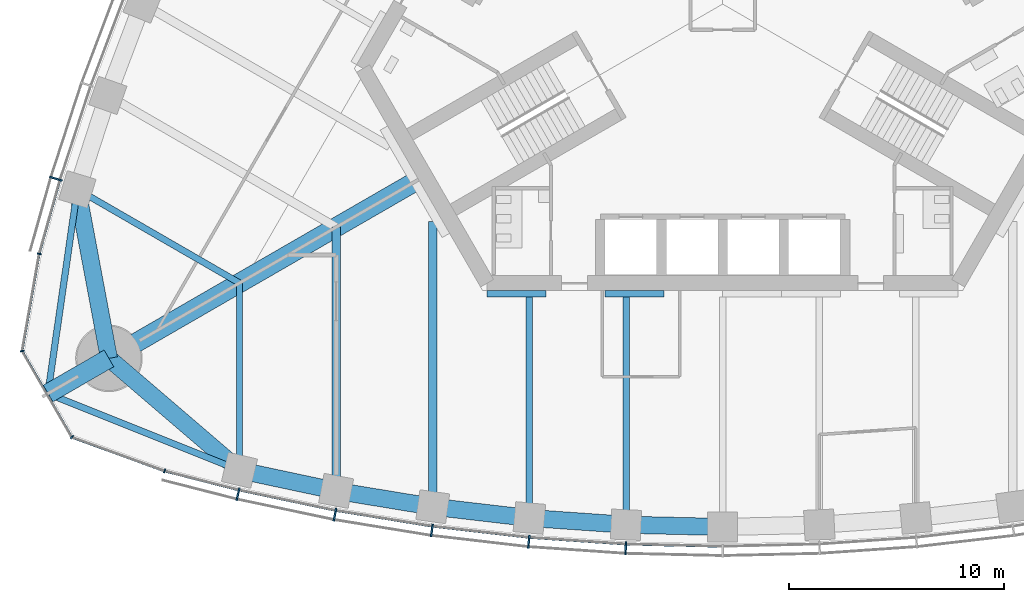
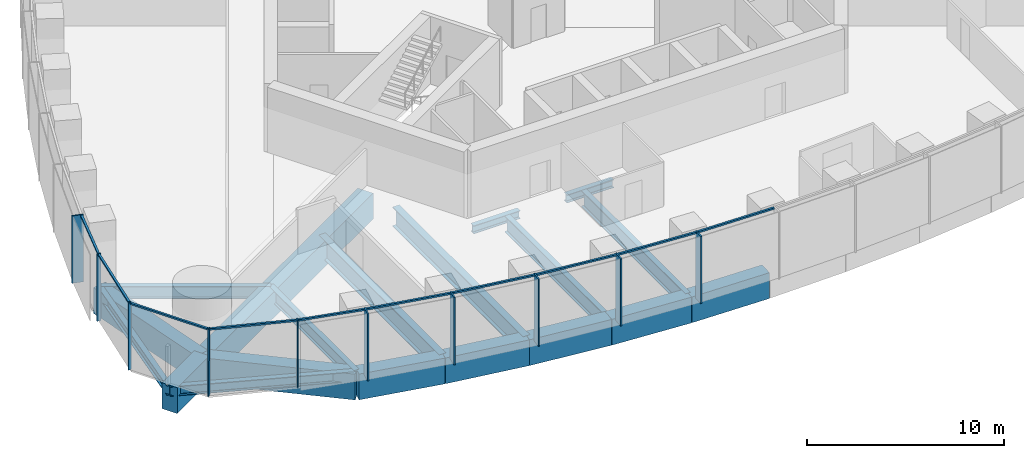
# One storey, part 2 of 19: 20 members, 19 beams, 3 elements without a shape of their own.
"""IFC4 building model written with IfcOpenShell, lengths in metres."""

import ifcopenshell
import ifcopenshell.guid

model = None  # the IFC model being written
_history = None  # IfcOwnerHistory: only IFC2X3 demands one
_inside = {}  # id of a spatial element -> (the spatial element, [elements in it])
_under = {}  # id of a project, library or spatial element -> (it, [spatial elements below it])
_declared = {}  # id of a project -> (the project, [libraries it declares])
_typed = {}  # id of a type object -> (the type object, [elements of that type])
_made_of = {}  # id of a material, layer set ... -> (it, [elements and type objects made of it])


def new_model(schema):
    """Start an empty IFC model of exactly this schema.

    Asked for "IFC4X3", IfcOpenShell would pick the latest addendum, in which some entities
    have other attributes; the version numbers below select the first issue.
    IFC2X3 requires an IfcOwnerHistory on every rooted entity: one is made here for all.
    """
    global model, _history
    if schema == "IFC4X3":
        model = ifcopenshell.file(schema_version=(4, 3, 0, 0))
    else:
        model = ifcopenshell.file(schema=schema)
    _inside.clear()
    _under.clear()
    _declared.clear()
    _typed.clear()
    _made_of.clear()
    _history = None
    if model.schema == "IFC2X3":
        org = make("IfcOrganization", Name="unknown")
        user = make(
            "IfcPersonAndOrganization",
            ThePerson=make("IfcPerson", FamilyName="unknown"),
            TheOrganization=org,
        )
        app = make(
            "IfcApplication",
            ApplicationDeveloper=org,
            Version="unknown",
            ApplicationFullName="unknown",
            ApplicationIdentifier="unknown",
        )
        _history = make(
            "IfcOwnerHistory",
            OwningUser=user,
            OwningApplication=app,
            ChangeAction="ADDED",
            CreationDate=0,
        )
    return model


def make(cls, **values):
    """One entity of the class cls with the attributes given. An attribute that is None is left unset."""
    return model.create_entity(
        cls, **{name: value for name, value in values.items() if value is not None}
    )


def rooted(cls, **values):
    """An entity with a GlobalId (a new one), such as an element, a storey or a relation."""
    return make(cls, GlobalId=ifcopenshell.guid.new(), OwnerHistory=_history, **values)


def si_unit(unit_type, name, prefix=None):
    """IfcSIUnit, for example si_unit("LENGTHUNIT", "METRE", prefix="MILLI")."""
    return make("IfcSIUnit", UnitType=unit_type, Prefix=prefix, Name=name)


def assignment(units):
    """IfcUnitAssignment: the units of a project."""
    return None if units is None else make("IfcUnitAssignment", Units=units)


def point(xyz):
    """IfcCartesianPoint."""
    return None if xyz is None else make("IfcCartesianPoint", Coordinates=xyz)


def direction(xyz):
    """IfcDirection."""
    return None if xyz is None else make("IfcDirection", DirectionRatios=xyz)


def frame(location, z_axis=None, x_axis=None):
    """IfcAxis2Placement3D, a coordinate frame: its origin and axes. An axis left out is left unset."""
    return make(
        "IfcAxis2Placement3D",
        Location=point(location),
        Axis=direction(z_axis),
        RefDirection=direction(x_axis),
    )


def frame_2d(location, x_axis=None):
    """IfcAxis2Placement2D, a coordinate frame in the plane: its origin and x axis."""
    return make(
        "IfcAxis2Placement2D", Location=point(location), RefDirection=direction(x_axis)
    )


def origin():
    """The frame at (0, 0, 0) with its axes left unset."""
    return frame((0.0, 0.0, 0.0))


def origin_2d():
    """The frame at (0, 0) in the plane with its x axis left unset."""
    return frame_2d((0.0, 0.0))


def place(relative_to, where):
    """IfcLocalPlacement: puts the frame where relative to a parent placement (None: the world)."""
    return make(
        "IfcLocalPlacement", PlacementRelTo=relative_to, RelativePlacement=where
    )


def context(
    kind, dimensions, precision=None, world=None, true_north=None, identifier=None
):
    """IfcGeometricRepresentationContext, for example the 3D "Model" context."""
    return make(
        "IfcGeometricRepresentationContext",
        ContextIdentifier=identifier,
        ContextType=kind,
        CoordinateSpaceDimension=dimensions,
        Precision=precision,
        WorldCoordinateSystem=world,
        TrueNorth=true_north,
    )


def subcontext(parent, identifier, kind, view, scale=None):
    """IfcGeometricRepresentationSubContext, for example "Body" below "Model"."""
    return make(
        "IfcGeometricRepresentationSubContext",
        ContextIdentifier=identifier,
        ContextType=kind,
        ParentContext=parent,
        TargetScale=scale,
        TargetView=view,
    )


def project(units=None, contexts=None):
    """IfcProject with its units and contexts."""
    return rooted(
        "IfcProject",
        Name="project",
        RepresentationContexts=contexts,
        UnitsInContext=assignment(units),
    )


def spatial(cls, under=None, at=None, **own):
    """A site, building, storey or space (cls), placed at a placement, below another one or the project."""
    s = rooted(cls, ObjectPlacement=at, **own)
    if under is not None:
        _under.setdefault(under.id(), (under, []))[1].append(s)
    return s


def profile(cls, at=None, kind="AREA", **sizes):
    """A parametric profile (cls). Its sizes go by their IFC names, for example OverallWidth=200.0."""
    return make(cls, ProfileType=kind, Position=at, **sizes)


def rectangle(**sizes):
    """IfcRectangleProfileDef."""
    return profile("IfcRectangleProfileDef", **sizes)


def i_section(**sizes):
    """IfcIShapeProfileDef."""
    return profile("IfcIShapeProfileDef", **sizes)


def extrude(swept, where, along, depth):
    """IfcExtrudedAreaSolid: the profile swept, set in the frame where, extruded along a direction by depth."""
    return make(
        "IfcExtrudedAreaSolid",
        SweptArea=swept,
        Position=where,
        ExtrudedDirection=direction(along),
        Depth=depth,
    )


def shape(context_of_items, identifier, shape_type, items):
    """IfcShapeRepresentation: the items that make up one representation, for example the "Body"."""
    return make(
        "IfcShapeRepresentation",
        ContextOfItems=context_of_items,
        RepresentationIdentifier=identifier,
        RepresentationType=shape_type,
        Items=items,
    )


def material(Name=None, Category=None):
    """IfcMaterial."""
    return make("IfcMaterial", Name=Name, Category=Category)


def material_profile(
    of_material, cross_section, Name=None, Category=None, Priority=None
):
    """IfcMaterialProfile: a cross section and its material."""
    return make(
        "IfcMaterialProfile",
        Name=Name,
        Material=of_material,
        Profile=cross_section,
        Priority=Priority,
        Category=Category,
    )


def profile_set(profiles, Name=None, composite=None):
    """IfcMaterialProfileSet."""
    return make(
        "IfcMaterialProfileSet",
        Name=Name,
        MaterialProfiles=profiles,
        CompositeProfile=composite,
    )


def made_of(thing, what):
    """Note that an element or type object is made of a material, layer set ...; save() writes the relation."""
    if what is not None:
        _made_of.setdefault(what.id(), (what, []))[1].append(thing)
    return thing


def type_object(cls, material=None, **own):
    """A type object (cls), such as IfcWallType, which elements share."""
    return made_of(rooted(cls, **own), material)


def element(
    cls,
    number,
    at=None,
    inside=None,
    cuts=None,
    type_object=None,
    material=None,
    context=None,
    identifier="Body",
    shape_type=None,
    held_by="IfcProductDefinitionShape",
    body=None,
    shapes=None,
    **own,
):
    """One element of the class cls, such as IfcWall. Its Tag is "e" and its number.

    at: its placement. inside: the storey or other place that contains it. cuts: it is an
    opening in that element (IfcRelVoidsElement). A single representation is given by context,
    identifier, shape_type and body (its items); several are given by shapes. held_by: the class
    of the entity that holds the representations. save() writes the other relations.
    """
    e = rooted(cls, Tag="e%d" % number, ObjectPlacement=at, **own)
    if body is not None:
        shapes = [shape(context, identifier, shape_type, body)]
    if shapes is not None:
        e.Representation = make(held_by, Representations=shapes)
    if inside is not None:
        _inside.setdefault(inside.id(), (inside, []))[1].append(e)
    if cuts is not None:
        rooted(
            "IfcRelVoidsElement", RelatingBuildingElement=cuts, RelatedOpeningElement=e
        )
    if type_object is not None:
        _typed.setdefault(type_object.id(), (type_object, []))[1].append(e)
    return made_of(e, material)


def aggregate(whole, parts):
    """IfcRelAggregates: a whole, such as a stair, and the parts it consists of."""
    return rooted("IfcRelAggregates", RelatingObject=whole, RelatedObjects=parts)


def save(model, path):
    """Write the relations noted so far, then the file.

    IfcRelAggregates (storeys below a building ...), IfcRelContainedInSpatialStructure (elements
    in a storey), IfcRelDefinesByType, IfcRelAssociatesMaterial and IfcRelDeclares: one each for
    every whole, place, type object, material and project.
    """
    for whole, parts in _under.values():
        aggregate(whole, parts)
    for where, things in _inside.values():
        rooted(
            "IfcRelContainedInSpatialStructure",
            RelatedElements=things,
            RelatingStructure=where,
        )
    for kind, things in _typed.values():
        rooted("IfcRelDefinesByType", RelatedObjects=things, RelatingType=kind)
    for what, things in _made_of.values():
        rooted("IfcRelAssociatesMaterial", RelatedObjects=things, RelatingMaterial=what)
    for by, libraries in _declared.values():
        rooted("IfcRelDeclares", RelatingContext=by, RelatedDefinitions=libraries)
    model.write(path)


model = new_model("IFC4")

# Units and contexts
model_context = context("Model", 3, precision=1e-05, world=origin(), true_north=direction((0.0, 1.0)))
body_context = subcontext(model_context, "Body", "Model", "MODEL_VIEW")
ifc_project = project(units=[si_unit("LENGTHUNIT", "METRE"), si_unit("AREAUNIT", "SQUARE_METRE"), si_unit("VOLUMEUNIT", "CUBIC_METRE"), si_unit("PLANEANGLEUNIT", "RADIAN"), si_unit("MASSUNIT", "GRAM", prefix="KILO")], contexts=[model_context])

# Site, building, storey
site_placement = place(None, origin())
site = spatial("IfcSite", under=ifc_project, at=site_placement, CompositionType="ELEMENT")
building_placement = place(site_placement, origin())
building = spatial("IfcBuilding", under=site, at=building_placement, Name="Trefoil Bronze Tower", CompositionType="ELEMENT")
storey_placement = place(building_placement, frame((0.0, 0.0, 256.89990234375)))
storey = spatial("IfcBuildingStorey", under=building, at=storey_placement, Name="L59", CompositionType="ELEMENT", Elevation=256.89990234375)

# Curtain wall, members
ifc_material_1 = material(Name="Tinted solar-control glass", Category="glass")
curtain_wall_type_1 = type_object("IfcCurtainWallType", Name="Bronze office curtain wall", PredefinedType="USERDEFINED", material=ifc_material_1)
curtain_wall_1_placement = place(storey_placement, origin())
curtain_wall_1 = element("IfcCurtainWall", 1, at=curtain_wall_1_placement, inside=storey, type_object=curtain_wall_type_1, Name="CW-A L59 F1", ObjectType="CURTAIN WALL", PredefinedType="USERDEFINED")
ifc_material_2 = material(Name="Bronze-finish aluminium", Category="aluminium")
ifc_material_profile_1 = material_profile(ifc_material_2, rectangle(XDim=0.60009765625, YDim=0.080078125, at=origin_2d()), Name="CW-A mullion")
ifc_profile_set_1 = profile_set([ifc_material_profile_1], Name="Bronze-finish aluminium")
member_type_1 = type_object("IfcMemberType", Name="Bronze office curtain wall mullion", PredefinedType="MULLION", material=ifc_profile_set_1)
member_1_placement = place(storey_placement, frame((-22.568115234375, -22.82421875, 0.0), z_axis=(0.0, 0.0, 1.0), x_axis=(0.227082662569, 0.973875487093, 0.0)))
member_1 = element("IfcMember", 2, at=member_1_placement, type_object=member_type_1, Name="CW-A L59 F1 mullion 2", PredefinedType="MULLION", context=body_context, shape_type="SweptSolid", body=[
    extrude(rectangle(XDim=0.60009765625, YDim=0.080078125, at=origin_2d()), origin(), (0.0, 0.0, 1.0), 4.18017578125),
])
member_2_placement = place(storey_placement, frame((-18.05517578125, -23.77783203125, 0.0), z_axis=(0.0, 0.0, 1.0), x_axis=(0.183825368167, 0.982958917767, 0.0)))
member_2 = element("IfcMember", 3, at=member_2_placement, type_object=member_type_1, Name="CW-A L59 F1 mullion 3", PredefinedType="MULLION", context=body_context, shape_type="SweptSolid", body=[
    extrude(rectangle(XDim=0.60009765625, YDim=0.080078125, at=origin_2d()), origin(), (0.0, 0.0, 1.0), 4.18017578125),
])
member_3_placement = place(storey_placement, frame((-13.541259765625, -24.51318359375, 0.0), z_axis=(0.0, 0.0, 1.0), x_axis=(0.137867887204, 0.990450627582, 0.0)))
member_3 = element("IfcMember", 4, at=member_3_placement, type_object=member_type_1, Name="CW-A L59 F1 mullion 4", PredefinedType="MULLION", context=body_context, shape_type="SweptSolid", body=[
    extrude(rectangle(XDim=0.60009765625, YDim=0.080078125, at=origin_2d()), origin(), (0.0, 0.0, 1.0), 4.18017578125),
])
member_4_placement = place(storey_placement, frame((-9.027587890625, -25.03515625, 0.0), z_axis=(0.0, 0.0, 1.0), x_axis=(0.091911396394, 0.995767189263, 0.0)))
member_4 = element("IfcMember", 5, at=member_4_placement, type_object=member_type_1, Name="CW-A L59 F1 mullion 5", PredefinedType="MULLION", context=body_context, shape_type="SweptSolid", body=[
    extrude(rectangle(XDim=0.60009765625, YDim=0.080078125, at=origin_2d()), origin(), (0.0, 0.0, 1.0), 4.18017578125),
])
member_5_placement = place(storey_placement, frame((-4.513671875, -25.346923828125, 0.0), z_axis=(0.0, 0.0, 1.0), x_axis=(0.045955542372, 0.998943485952, 0.0)))
member_5 = element("IfcMember", 6, at=member_5_placement, type_object=member_type_1, Name="CW-A L59 F1 mullion 6", PredefinedType="MULLION", context=body_context, shape_type="SweptSolid", body=[
    extrude(rectangle(XDim=0.60009765625, YDim=0.080078125, at=origin_2d()), origin(), (0.0, 0.0, 1.0), 4.18017578125),
])

# Curtain wall, member
curtain_wall_2_placement = place(storey_placement, origin())
curtain_wall_2 = element("IfcCurtainWall", 7, at=curtain_wall_2_placement, inside=storey, type_object=curtain_wall_type_1, Name="CW-A L59 F3", ObjectType="CURTAIN WALL", PredefinedType="USERDEFINED")
member_6_placement = place(storey_placement, frame((-31.05029296875, -8.132568359375, 0.0), z_axis=(0.0, 0.0, 1.0), x_axis=(0.95694224323, -0.290278389002, 0.0)))
member_6 = element("IfcMember", 8, at=member_6_placement, type_object=member_type_1, Name="CW-A L59 F3 mullion 12", PredefinedType="MULLION", context=body_context, shape_type="SweptSolid", body=[
    extrude(rectangle(XDim=0.60009765625, YDim=0.080078125, at=origin_2d()), origin(), (0.0, 0.0, 1.0), 4.18017578125),
])

# Member
ifc_material_3 = material(Name="Bronze-finish aluminium", Category="aluminium")
ifc_material_profile_2 = material_profile(ifc_material_3, rectangle(XDim=0.1201171875, YDim=0.10009765625, at=origin_2d()), Name="CW-A transom")
ifc_profile_set_2 = profile_set([ifc_material_profile_2], Name="Bronze-finish aluminium")
member_type_2 = type_object("IfcMemberType", Name="Bronze office curtain wall transom", PredefinedType="USERDEFINED", material=ifc_profile_set_2)
member_7_placement = place(storey_placement, frame((-25.93896484375, -21.75732421875, 4.130126953125), z_axis=(0.968935220916, -0.247314653162, 0.0), x_axis=(0.247314653162, 0.968935220916, 0.0)))
member_7 = element("IfcMember", 9, at=member_7_placement, type_object=member_type_2, Name="CW-A L59 F1 transom 1", ObjectType="TRANSOM", PredefinedType="USERDEFINED", context=body_context, shape_type="SweptSolid", body=[
    extrude(rectangle(XDim=0.1201171875, YDim=0.10009765625, at=origin_2d()), origin(), (0.0, 0.0, 1.0), 3.483642578125),
])

member_8_placement = place(storey_placement, frame((-22.4814453125, -22.63818359375, 4.130126953125), z_axis=(0.978395325657, -0.20674280334, 0.0), x_axis=(0.20674280334, 0.978395325657, 0.0)))
member_8 = element("IfcMember", 10, at=member_8_placement, type_object=member_type_2, Name="CW-A L59 F1 transom 2", ObjectType="TRANSOM", PredefinedType="USERDEFINED", context=body_context, shape_type="SweptSolid", body=[
    extrude(rectangle(XDim=0.1201171875, YDim=0.10009765625, at=origin_2d()), origin(), (0.0, 0.0, 1.0), 4.519287109375),
])

member_9_placement = place(storey_placement, frame((-17.9765625, -23.588134765625, 4.130126953125), z_axis=(0.986988367046, -0.160791676761, 0.0), x_axis=(0.160791676761, 0.986988367046, 0.0)))
member_9 = element("IfcMember", 11, at=member_9_placement, type_object=member_type_2, Name="CW-A L59 F1 transom 3", ObjectType="TRANSOM", PredefinedType="USERDEFINED", context=body_context, shape_type="SweptSolid", body=[
    extrude(rectangle(XDim=0.1201171875, YDim=0.10009765625, at=origin_2d()), origin(), (0.0, 0.0, 1.0), 4.479248046875),
])

member_10_placement = place(storey_placement, frame((-13.4716796875, -24.320068359375, 4.130126953125), z_axis=(0.993384885596, -0.114832352013, 0.0), x_axis=(0.114832352013, 0.993384885596, 0.0)))
member_10 = element("IfcMember", 12, at=member_10_placement, type_object=member_type_2, Name="CW-A L59 F1 transom 4", ObjectType="TRANSOM", PredefinedType="USERDEFINED", context=body_context, shape_type="SweptSolid", body=[
    extrude(rectangle(XDim=0.1201171875, YDim=0.10009765625, at=origin_2d()), origin(), (0.0, 0.0, 1.0), 4.449951171875),
])

member_11_placement = place(storey_placement, frame((-8.967041015625, -24.8388671875, 4.130126953125), z_axis=(0.997621320987, -0.06893257512, 0.0), x_axis=(0.06893257512, 0.997621320987, 0.0)))
member_11 = element("IfcMember", 13, at=member_11_placement, type_object=member_type_2, Name="CW-A L59 F1 transom 5", ObjectType="TRANSOM", PredefinedType="USERDEFINED", context=body_context, shape_type="SweptSolid", body=[
    extrude(rectangle(XDim=0.1201171875, YDim=0.10009765625, at=origin_2d()), origin(), (0.0, 0.0, 1.0), 4.4306640625),
])

member_12_placement = place(storey_placement, frame((-4.46240234375, -25.148193359375, 4.130126953125), z_axis=(0.999736131416, -0.022971015226, 0.0), x_axis=(0.022971015226, 0.999736131416, 0.0)))
member_12 = element("IfcMember", 14, at=member_12_placement, type_object=member_type_2, Name="CW-A L59 F1 transom 6", ObjectType="TRANSOM", PredefinedType="USERDEFINED", context=body_context, shape_type="SweptSolid", body=[
    extrude(rectangle(XDim=0.1201171875, YDim=0.10009765625, at=origin_2d()), origin(), (0.0, 0.0, 1.0), 4.42138671875),
])

aggregate(curtain_wall_1, [member_1, member_2, member_3, member_4, member_5, member_7, member_8, member_9, member_10, member_11, member_12])

member_13_placement = place(storey_placement, frame((-30.870361328125, -8.23095703125, 4.130126953125), z_axis=(-0.270284880437, -0.962780392097, 0.0), x_axis=(0.962780392097, -0.270284880437, 0.0)))
member_13 = element("IfcMember", 15, at=member_13_placement, type_object=member_type_2, Name="CW-A L59 F3 transom 12", ObjectType="TRANSOM", PredefinedType="USERDEFINED", context=body_context, shape_type="SweptSolid", body=[
    extrude(rectangle(XDim=0.1201171875, YDim=0.10009765625, at=origin_2d()), origin(), (0.0, 0.0, 1.0), 3.48388671875),
])

aggregate(curtain_wall_2, [member_6, member_13])

# Curtain wall, members
ifc_material_4 = material(Name="Tinted solar-control glass", Category="glass")
curtain_wall_type_2 = type_object("IfcCurtainWallType", Name="Bronze rounded corner curtain wall", PredefinedType="USERDEFINED", material=ifc_material_4)
curtain_wall_3_placement = place(storey_placement, origin())
curtain_wall_3 = element("IfcCurtainWall", 16, at=curtain_wall_3_placement, inside=storey, type_object=curtain_wall_type_2, Name="CW-B L59 K3", ObjectType="CURTAIN WALL", PredefinedType="USERDEFINED")
ifc_material_5 = material(Name="Bronze-finish aluminium", Category="aluminium")
ifc_material_profile_3 = material_profile(ifc_material_5, rectangle(XDim=0.199951171875, YDim=0.06005859375, at=origin_2d()), Name="CW-B mullion")
ifc_profile_set_3 = profile_set([ifc_material_profile_3], Name="Bronze-finish aluminium")
member_type_3 = type_object("IfcMemberType", Name="Bronze rounded corner curtain wall mullion", PredefinedType="MULLION", material=ifc_profile_set_3)
member_14_placement = place(storey_placement, frame((-31.824951171875, -11.63330078125, 0.0), z_axis=(0.0, 0.0, 1.0), x_axis=(0.984807753012, -0.173648177667, 0.0)))
member_14 = element("IfcMember", 17, at=member_14_placement, type_object=member_type_3, Name="CW-B L59 K3 mullion 1", PredefinedType="MULLION", context=body_context, shape_type="SweptSolid", body=[
    extrude(rectangle(XDim=0.199951171875, YDim=0.06005859375, at=origin_2d()), origin(), (0.0, 0.0, 1.0), 4.18017578125),
])
member_15_placement = place(storey_placement, frame((-32.616943359375, -16.158935546875, 0.0), z_axis=(0.0, 0.0, 1.0), x_axis=(0.984807753012, 0.173648177667, 0.0)))
member_15 = element("IfcMember", 18, at=member_15_placement, type_object=member_type_3, Name="CW-B L59 K3 mullion 2", PredefinedType="MULLION", context=body_context, shape_type="SweptSolid", body=[
    extrude(rectangle(XDim=0.199951171875, YDim=0.06005859375, at=origin_2d()), origin(), (0.0, 0.0, 1.0), 4.18017578125),
])
member_16_placement = place(storey_placement, frame((-30.302490234375, -20.16748046875, 0.0), z_axis=(0.0, 0.0, 1.0), x_axis=(0.642787609687, 0.766044443119, 0.0)))
member_16 = element("IfcMember", 19, at=member_16_placement, type_object=member_type_3, Name="CW-B L59 K3 mullion 3", PredefinedType="MULLION", context=body_context, shape_type="SweptSolid", body=[
    extrude(rectangle(XDim=0.199951171875, YDim=0.06005859375, at=origin_2d()), origin(), (0.0, 0.0, 1.0), 4.18017578125),
])
member_17_placement = place(storey_placement, frame((-25.9873046875, -21.74462890625, 0.0), z_axis=(0.0, 0.0, 1.0), x_axis=(0.342020143326, 0.939692620786, 0.0)))
member_17 = element("IfcMember", 20, at=member_17_placement, type_object=member_type_3, Name="CW-B L59 K3 mullion 4", PredefinedType="MULLION", context=body_context, shape_type="SweptSolid", body=[
    extrude(rectangle(XDim=0.199951171875, YDim=0.06005859375, at=origin_2d()), origin(), (0.0, 0.0, 1.0), 4.18017578125),
])
ifc_material_6 = material(Name="Bronze-finish aluminium", Category="aluminium")
ifc_material_profile_4 = material_profile(ifc_material_6, rectangle(XDim=0.1201171875, YDim=0.10009765625, at=origin_2d()), Name="CW-B transom")
ifc_profile_set_4 = profile_set([ifc_material_profile_4], Name="Bronze-finish aluminium")
member_type_4 = type_object("IfcMemberType", Name="Bronze rounded corner curtain wall transom", PredefinedType="USERDEFINED", material=ifc_profile_set_4)
member_18_placement = place(storey_placement, frame((-31.830078125, -11.662841796875, 4.130126953125), z_axis=(-0.173655350028, -0.984806488304, 0.0), x_axis=(0.984806488304, -0.173655350028, 0.0)))
member_18 = element("IfcMember", 21, at=member_18_placement, type_object=member_type_4, Name="CW-B L59 K3 transom 1", ObjectType="TRANSOM", PredefinedType="USERDEFINED", context=body_context, shape_type="SweptSolid", body=[
    extrude(rectangle(XDim=0.1201171875, YDim=0.10009765625, at=origin_2d()), origin(), (0.0, 0.0, 1.0), 4.500244140625),
])
member_19_placement = place(storey_placement, frame((-32.590087890625, -16.217529296875, 4.130126953125), z_axis=(0.500007335828, -0.866021168401, 0.0), x_axis=(0.866021168401, 0.500007335828, 0.0)))
member_19 = element("IfcMember", 22, at=member_19_placement, type_object=member_type_4, Name="CW-B L59 K3 transom 2", ObjectType="TRANSOM", PredefinedType="USERDEFINED", context=body_context, shape_type="SweptSolid", body=[
    extrude(rectangle(XDim=0.1201171875, YDim=0.10009765625, at=origin_2d()), origin(), (0.0, 0.0, 1.0), 4.50048828125),
])
member_20_placement = place(storey_placement, frame((-30.244140625, -20.195068359375, 4.130126953125), z_axis=(0.939680910753, -0.342052314664, 0.0), x_axis=(0.342052314664, 0.939680910753, 0.0)))
member_20 = element("IfcMember", 23, at=member_20_placement, type_object=member_type_4, Name="CW-B L59 K3 transom 3", ObjectType="TRANSOM", PredefinedType="USERDEFINED", context=body_context, shape_type="SweptSolid", body=[
    extrude(rectangle(XDim=0.1201171875, YDim=0.10009765625, at=origin_2d()), origin(), (0.0, 0.0, 1.0), 4.500244140625),
])
aggregate(curtain_wall_3, [member_14, member_15, member_16, member_17, member_18, member_19, member_20])

# Beams
ifc_material_7 = material(Name="Steel C355", Category="steel")
ifc_material_profile_5 = material_profile(ifc_material_7, i_section(OverallWidth=0.300048828125, OverallDepth=0.5, WebThickness=0.014404296875, FlangeThickness=0.028076171875, FilletRadius=0.027099609375, at=origin_2d()), Name="HEB 500")
ifc_profile_set_5 = profile_set([ifc_material_profile_5], Name="Steel C355")
beam_type_1 = type_object("IfcBeamType", Name="Core seat beam HEB 500", PredefinedType="BEAM", material=ifc_profile_set_5)
for number, where, z_axis, x_axis, name in (
    (24, (-10.9697265625, -13.5, -0.449951171875), (1.0, 0.0, 0.0), (0.0, 1.0, 0.0), "Core seat beam F1/-2 L59"),
    (25, (-5.48486328125, -13.5, -0.449951171875), (1.0, 0.0, 0.0), (0.0, 1.0, 0.0), "Core seat beam F1/-1 L59"),
):
    element("IfcBeam", number, at=place(storey_placement, frame(where, z_axis=z_axis, x_axis=x_axis)), inside=storey, type_object=beam_type_1, Name=name, PredefinedType="BEAM", context=body_context, shape_type="SweptSolid", body=[
        extrude(i_section(OverallWidth=0.300048828125, OverallDepth=0.5, WebThickness=0.014404296875, FlangeThickness=0.028076171875, FilletRadius=0.027099609375, at=origin_2d()), origin(), (0.0, 0.0, 1.0), 2.742431640625),
    ])
ifc_material_8 = material(Name="Concrete B80", Category="concrete")
ifc_material_profile_6 = material_profile(ifc_material_8, rectangle(XDim=0.89990234375, YDim=1.60009765625, at=origin_2d()), Name="RC 900x1600")
ifc_profile_set_6 = profile_set([ifc_material_profile_6], Name="Concrete B80")
beam_type_2 = type_object("IfcBeamType", Name="Corner cantilever RC 900x1600", PredefinedType="BEAM", material=ifc_profile_set_6)
beam_1_placement = place(storey_placement, frame((-28.578857421875, -16.5, -1.0), z_axis=(-0.866016004958, -0.500016278891, 0.0), x_axis=(0.500016278891, -0.866016004958, 0.0)))
element("IfcBeam", 26, at=beam_1_placement, inside=storey, type_object=beam_type_2, Name="Corner cantilever K3 L59", PredefinedType="BEAM", context=body_context, shape_type="SweptSolid", body=[
    extrude(rectangle(XDim=0.89990234375, YDim=1.60009765625, at=origin_2d()), origin(), (0.0, 0.0, 1.0), 3.28466796875),
])
ifc_material_9 = material(Name="Steel C355", Category="steel")
ifc_material_profile_7 = material_profile(ifc_material_9, i_section(OverallWidth=0.300048828125, OverallDepth=0.60009765625, WebThickness=0.015380859375, FlangeThickness=0.030029296875, FilletRadius=0.027099609375, at=origin_2d()), Name="HEB 600")
ifc_profile_set_7 = profile_set([ifc_material_profile_7], Name="Steel C355")
beam_type_3 = type_object("IfcBeamType", Name="Corner edge beam HEB 600", PredefinedType="BEAM", material=ifc_profile_set_7)
for number, where, z_axis, x_axis, name in (
    (27, (-22.5, -21.71044921875, -0.5), (-0.92852048463, 0.371281173266, 0.0), (-0.371281173266, -0.92852048463, 0.0), "Corner edge beam F1B L59"),
    (28, (-30.052001953125, -8.63037109375, -0.5), (-0.142694489722, -0.989766781925, 0.0), (0.989766781925, -0.142694489722, 0.0), "Corner edge beam F3A L59"),
):
    element("IfcBeam", number, at=place(storey_placement, frame(where, z_axis=z_axis, x_axis=x_axis)), inside=storey, type_object=beam_type_3, Name=name, PredefinedType="BEAM", context=body_context, shape_type="SweptSolid", body=[
        extrude(i_section(OverallWidth=0.300048828125, OverallDepth=0.60009765625, WebThickness=0.015380859375, FlangeThickness=0.030029296875, FilletRadius=0.027099609375, at=origin_2d()), origin(), (0.0, 0.0, 1.0), 9.6103515625),
    ])
ifc_material_10 = material(Name="Concrete B80", Category="concrete")
ifc_material_profile_8 = material_profile(ifc_material_10, rectangle(XDim=0.89990234375, YDim=1.60009765625, at=origin_2d()), Name="RC 900x1600")
ifc_profile_set_8 = profile_set([ifc_material_profile_8], Name="Concrete B80")
beam_type_4 = type_object("IfcBeamType", Name="Corner girder RC 900x1600", PredefinedType="BEAM", material=ifc_profile_set_8)
beam_2_placement = place(storey_placement, frame((-14.159423828125, -8.175048828125, -1.0), z_axis=(-0.866028334591, -0.49999492366, 0.0), x_axis=(0.49999492366, -0.866028334591, 0.0)))
element("IfcBeam", 29, at=beam_2_placement, inside=storey, type_object=beam_type_4, Name="Corner girder K3 L59", PredefinedType="BEAM", context=body_context, shape_type="SweptSolid", body=[
    extrude(rectangle(XDim=0.89990234375, YDim=1.60009765625, at=origin_2d()), origin(), (0.0, 0.0, 1.0), 16.650146484375),
])
ifc_material_11 = material(Name="Concrete B80", Category="concrete")
ifc_material_profile_9 = material_profile(ifc_material_11, rectangle(XDim=0.800048828125, YDim=1.60009765625, at=origin_2d()), Name="RC 800x1600")
ifc_profile_set_9 = profile_set([ifc_material_profile_9], Name="Concrete B80")
beam_type_5 = type_object("IfcBeamType", Name="End spandrel beam RC 800x1600", PredefinedType="SPANDREL", material=ifc_profile_set_9)
for number, where, z_axis, x_axis, name in (
    (30, (-28.578857421875, -16.5, -1.0), (0.759256602365, -0.650791373456, 0.0), (0.650791373456, 0.759256602365, 0.0), "Spandrel F1.1 L59"),
    (31, (-30.052001953125, -8.63037109375, -1.0), (0.18399763073, -0.982926686933, 0.0), (0.982926686933, 0.18399763073, 0.0), "Spandrel F3.12 L59"),
):
    element("IfcBeam", number, at=place(storey_placement, frame(where, z_axis=z_axis, x_axis=x_axis)), inside=storey, type_object=beam_type_5, Name=name, PredefinedType="SPANDREL", context=body_context, shape_type="SweptSolid", body=[
        extrude(rectangle(XDim=0.800048828125, YDim=1.60009765625, at=origin_2d()), origin(), (0.0, 0.0, 1.0), 8.00634765625),
    ])
ifc_material_12 = material(Name="Steel C355", Category="steel")
ifc_material_profile_10 = material_profile(ifc_material_12, i_section(OverallWidth=0.300048828125, OverallDepth=1.0, WebThickness=0.01904296875, FlangeThickness=0.035888671875, FilletRadius=0.030029296875, at=origin_2d()), Name="HEB 1000")
ifc_profile_set_10 = profile_set([ifc_material_profile_10], Name="Steel C355")
beam_type_6 = type_object("IfcBeamType", Name="Floor beam HEB 1000", PredefinedType="BEAM", material=ifc_profile_set_10)
beam_3_placement = place(storey_placement, frame((-9.0, -23.932861328125, -0.699951171875), z_axis=(0.0, 1.0, 0.0), x_axis=(-1.0, 0.0, 0.0)))
element("IfcBeam", 32, at=beam_3_placement, inside=storey, type_object=beam_type_6, Name="Floor beam F1/-2 L59", PredefinedType="BEAM", context=body_context, shape_type="SweptSolid", body=[
    extrude(i_section(OverallWidth=0.300048828125, OverallDepth=1.0, WebThickness=0.01904296875, FlangeThickness=0.035888671875, FilletRadius=0.030029296875, at=origin_2d()), origin(), (0.0, 0.0, 1.0), 10.282958984375),
])
ifc_material_13 = material(Name="Steel C355", Category="steel")
ifc_material_profile_11 = material_profile(ifc_material_13, i_section(OverallWidth=0.300048828125, OverallDepth=0.800048828125, WebThickness=0.017578125, FlangeThickness=0.032958984375, FilletRadius=0.030029296875, at=origin_2d()), Name="HEB 800")
ifc_profile_set_11 = profile_set([ifc_material_profile_11], Name="Steel C355")
beam_type_7 = type_object("IfcBeamType", Name="Floor beam HEB 800", PredefinedType="BEAM", material=ifc_profile_set_11)
beam_4_placement = place(storey_placement, frame((-22.5, -21.71044921875, -0.599853515625), z_axis=(0.0, 1.0, 0.0), x_axis=(-1.0, 0.0, 0.0)))
element("IfcBeam", 33, at=beam_4_placement, inside=storey, type_object=beam_type_7, Name="Floor beam F1/-5 L59", PredefinedType="BEAM", context=body_context, shape_type="SweptSolid", body=[
    extrude(i_section(OverallWidth=0.300048828125, OverallDepth=0.800048828125, WebThickness=0.017578125, FlangeThickness=0.032958984375, FilletRadius=0.030029296875, at=origin_2d()), origin(), (0.0, 0.0, 1.0), 8.719970703125),
])
beam_5_placement = place(storey_placement, frame((-30.052001953125, -8.63037109375, -0.599853515625), z_axis=(0.866027535932, -0.499996306993, 0.0), x_axis=(0.499996306993, 0.866027535932, 0.0)))
element("IfcBeam", 34, at=beam_5_placement, inside=storey, type_object=beam_type_7, Name="Floor beam F3/+5 L59", PredefinedType="BEAM", context=body_context, shape_type="SweptSolid", body=[
    extrude(i_section(OverallWidth=0.300048828125, OverallDepth=0.800048828125, WebThickness=0.017578125, FlangeThickness=0.032958984375, FilletRadius=0.030029296875, at=origin_2d()), origin(), (0.0, 0.0, 1.0), 8.72021484375),
])
ifc_material_14 = material(Name="Steel C355", Category="steel")
ifc_material_profile_12 = material_profile(ifc_material_14, i_section(OverallWidth=0.302001953125, OverallDepth=1.008056640625, WebThickness=0.02099609375, FlangeThickness=0.0400390625, FilletRadius=0.030029296875, at=origin_2d()), Name="HEM 1000")
ifc_profile_set_12 = profile_set([ifc_material_profile_12], Name="Steel C355")
beam_type_8 = type_object("IfcBeamType", Name="Floor beam HEM 1000", PredefinedType="BEAM", material=ifc_profile_set_12)
beam_6_placement = place(storey_placement, frame((-4.5, -24.246337890625, -0.703857421875), z_axis=(0.0, 1.0, 0.0), x_axis=(-1.0, 0.0, 0.0)))
element("IfcBeam", 35, at=beam_6_placement, inside=storey, type_object=beam_type_8, Name="Floor beam F1/-1 L59", PredefinedType="BEAM", context=body_context, shape_type="SweptSolid", body=[
    extrude(i_section(OverallWidth=0.302001953125, OverallDepth=1.008056640625, WebThickness=0.02099609375, FlangeThickness=0.0400390625, FilletRadius=0.030029296875, at=origin_2d()), origin(), (0.0, 0.0, 1.0), 10.596435546875),
])
ifc_material_15 = material(Name="Steel C355", Category="steel")
ifc_material_profile_13 = material_profile(ifc_material_15, i_section(OverallWidth=0.39990234375, OverallDepth=1.199951171875, WebThickness=0.02001953125, FlangeThickness=0.0400390625, FilletRadius=0.010009765625, at=origin_2d()), Name="WPG 1200")
ifc_profile_set_13 = profile_set([ifc_material_profile_13], Name="Steel C355")
beam_type_9 = type_object("IfcBeamType", Name="Floor beam WPG 1200", PredefinedType="BEAM", material=ifc_profile_set_13)
beam_7_placement = place(storey_placement, frame((-18.0, -22.6689453125, -0.7998046875), z_axis=(0.0, 1.0, 0.0), x_axis=(-1.0, 0.0, 0.0)))
element("IfcBeam", 36, at=beam_7_placement, inside=storey, type_object=beam_type_9, Name="Floor beam F1/-4 L59", PredefinedType="BEAM", context=body_context, shape_type="SweptSolid", body=[
    extrude(i_section(OverallWidth=0.39990234375, OverallDepth=1.199951171875, WebThickness=0.02001953125, FlangeThickness=0.0400390625, FilletRadius=0.010009765625, at=origin_2d()), origin(), (0.0, 0.0, 1.0), 12.276611328125),
])
beam_8_placement = place(storey_placement, frame((-13.5, -23.408447265625, -0.7998046875), z_axis=(0.0, 1.0, 0.0), x_axis=(-1.0, 0.0, 0.0)))
element("IfcBeam", 37, at=beam_8_placement, inside=storey, type_object=beam_type_9, Name="Floor beam F1/-3 L59", PredefinedType="BEAM", context=body_context, shape_type="SweptSolid", body=[
    extrude(i_section(OverallWidth=0.39990234375, OverallDepth=1.199951171875, WebThickness=0.02001953125, FlangeThickness=0.0400390625, FilletRadius=0.010009765625, at=origin_2d()), origin(), (0.0, 0.0, 1.0), 13.291015625),
])
ifc_material_16 = material(Name="Concrete B80", Category="concrete")
ifc_material_profile_14 = material_profile(ifc_material_16, rectangle(XDim=0.800048828125, YDim=1.60009765625, at=origin_2d()), Name="RC 800x1600")
ifc_profile_set_14 = profile_set([ifc_material_profile_14], Name="Concrete B80")
beam_type_10 = type_object("IfcBeamType", Name="Spandrel beam RC 800x1600", PredefinedType="SPANDREL", material=ifc_profile_set_14)
beam_9_placement = place(storey_placement, frame((-22.5, -21.71044921875, -1.0), z_axis=(0.978059483036, -0.208325820877, 0.0), x_axis=(0.208325820877, 0.978059483036, 0.0)))
element("IfcBeam", 38, at=beam_9_placement, inside=storey, type_object=beam_type_10, Name="Spandrel F1.2 L59", PredefinedType="SPANDREL", context=body_context, shape_type="SweptSolid", body=[
    extrude(rectangle(XDim=0.800048828125, YDim=1.60009765625, at=origin_2d()), origin(), (0.0, 0.0, 1.0), 4.600830078125),
])
beam_10_placement = place(storey_placement, frame((-18.0, -22.6689453125, -1.0), z_axis=(0.986764681833, -0.162158757664, 0.0), x_axis=(0.162158757664, 0.986764681833, 0.0)))
element("IfcBeam", 39, at=beam_10_placement, inside=storey, type_object=beam_type_10, Name="Spandrel F1.3 L59", PredefinedType="SPANDREL", context=body_context, shape_type="SweptSolid", body=[
    extrude(rectangle(XDim=0.800048828125, YDim=1.60009765625, at=origin_2d()), origin(), (0.0, 0.0, 1.0), 4.560302734375),
])
beam_11_placement = place(storey_placement, frame((-13.5, -23.408447265625, -1.0), z_axis=(0.993278017132, -0.115753102257, 0.0), x_axis=(0.115753102257, 0.993278017132, 0.0)))
element("IfcBeam", 40, at=beam_11_placement, inside=storey, type_object=beam_type_10, Name="Spandrel F1.4 L59", PredefinedType="SPANDREL", context=body_context, shape_type="SweptSolid", body=[
    extrude(rectangle(XDim=0.800048828125, YDim=1.60009765625, at=origin_2d()), origin(), (0.0, 0.0, 1.0), 4.530517578125),
])
beam_12_placement = place(storey_placement, frame((-9.0, -23.932861328125, -1.0), z_axis=(0.997582435881, -0.069493047291, 0.0), x_axis=(0.069493047291, 0.997582435881, 0.0)))
element("IfcBeam", 41, at=beam_12_placement, inside=storey, type_object=beam_type_10, Name="Spandrel F1.5 L59", PredefinedType="SPANDREL", context=body_context, shape_type="SweptSolid", body=[
    extrude(rectangle(XDim=0.800048828125, YDim=1.60009765625, at=origin_2d()), origin(), (0.0, 0.0, 1.0), 4.510986328125),
])
beam_13_placement = place(storey_placement, frame((-4.5, -24.246337890625, -1.0), z_axis=(0.999731770792, -0.023160018779, 0.0), x_axis=(0.023160018779, 0.999731770792, 0.0)))
element("IfcBeam", 42, at=beam_13_placement, inside=storey, type_object=beam_type_10, Name="Spandrel F1.6 L59", PredefinedType="SPANDREL", context=body_context, shape_type="SweptSolid", body=[
    extrude(rectangle(XDim=0.800048828125, YDim=1.60009765625, at=origin_2d()), origin(), (0.0, 0.0, 1.0), 4.501220703125),
])

save(model, "model.ifc")
